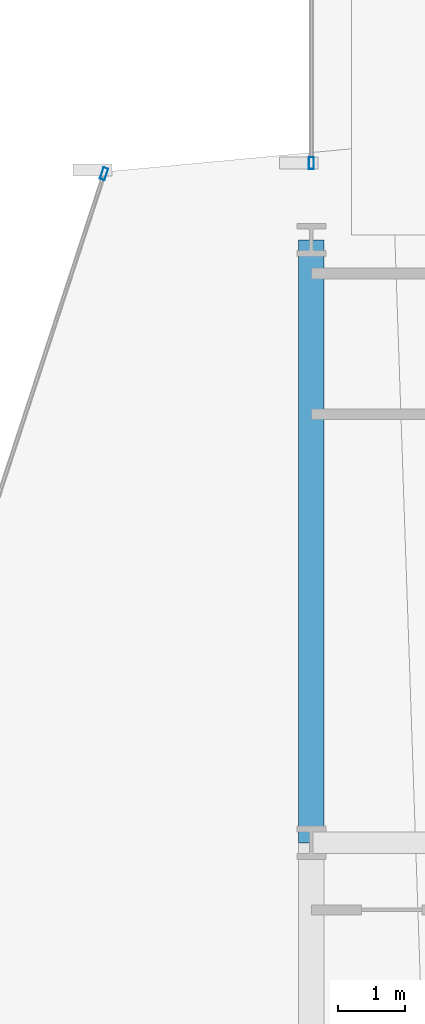
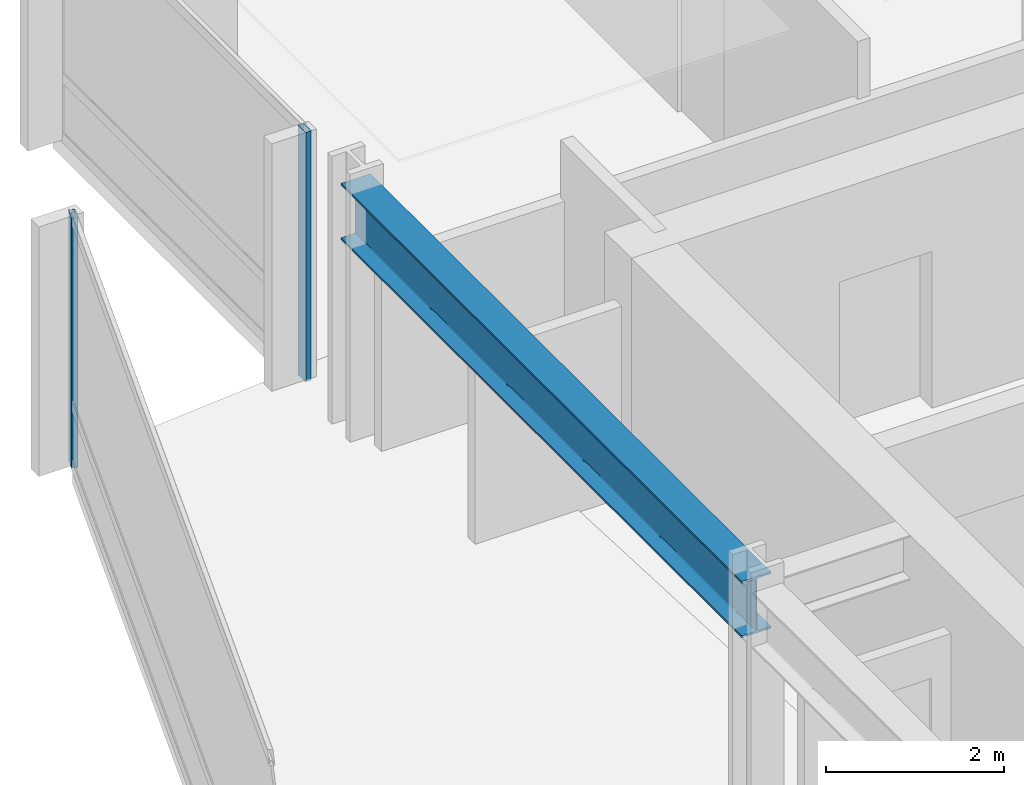
# One storey, part 19 of 34: 2 members, 1 beam, 2 elements without a shape of their own.
"""IFC4 building model written with IfcOpenShell, lengths in metres."""

from ifc_helpers import new_model, si_unit, direction, frame, origin, origin_2d, place, context, subcontext, project, spatial, hollow_rectangle, i_section, extrude, material, layer, layer_set, material_profile, profile_set, type_object, element, aggregate, save


model = new_model("IFC4")

# Units and contexts
model_context = context("Model", 3, precision=1e-05, world=origin(), true_north=direction((0.0, 1.0)))
body_context = subcontext(model_context, "Body", "Model", "MODEL_VIEW")
ifc_project = project(units=[si_unit("LENGTHUNIT", "METRE"), si_unit("AREAUNIT", "SQUARE_METRE"), si_unit("VOLUMEUNIT", "CUBIC_METRE"), si_unit("PLANEANGLEUNIT", "RADIAN"), si_unit("MASSUNIT", "GRAM", prefix="KILO")], contexts=[model_context])

# Site, building, storey
site_placement = place(None, origin())
site = spatial("IfcSite", under=ifc_project, at=site_placement, CompositionType="ELEMENT")
building_placement = place(site_placement, origin())
building = spatial("IfcBuilding", under=site, at=building_placement, Name="Solvaryn Broadcast Tower", CompositionType="ELEMENT")
storey_placement = place(building_placement, frame((0.0, 0.0, 43.39990234375)))
storey = spatial("IfcBuildingStorey", under=building, at=storey_placement, Name="L09", CompositionType="ELEMENT", Elevation=43.39990234375)

# Beam
ifc_material_1 = material(Name="Steel ASTM A992 Grade 50", Category="steel")
ifc_material_profile_1 = material_profile(ifc_material_1, i_section(OverallWidth=0.381103515625, OverallDepth=0.77294921875, WebThickness=0.0166015625, FlangeThickness=0.027099609375, FilletRadius=0.01806640625, at=origin_2d()))
ifc_profile_set_1 = profile_set([ifc_material_profile_1], Name="Steel ASTM A992 Grade 50")
beam_type = type_object("IfcBeamType", Name="BM-SP1-W30X173", PredefinedType="USERDEFINED", material=ifc_profile_set_1)
beam_placement = place(storey_placement, frame((9.0, 36.0, 3.03369140625), z_axis=(0.0, 1.0, 0.0), x_axis=(-1.0, 0.0, 0.0)))
element("IfcBeam", 1, at=beam_placement, inside=storey, type_object=beam_type, Name="L09 Spandrel Beam Y (36-45 @ X=9)", ObjectType="SPANDREL", PredefinedType="USERDEFINED", context=body_context, shape_type="SweptSolid", body=[
    extrude(i_section(OverallWidth=0.381103515625, OverallDepth=0.77294921875, WebThickness=0.0166015625, FlangeThickness=0.027099609375, FilletRadius=0.01806640625, at=origin_2d()), origin(), (0.0, 0.0, 1.0), 9.0),
])

# Curtain wall, member
ifc_material_2 = material(Name="Aluminium and Terracotta Unitised Curtain Wall", Category="masonry")
ifc_layer = layer(ifc_material_2, 0.199951171875)
ifc_layer_set = layer_set([ifc_layer], Name="CW-SYS2-LOWMID")
curtain_wall_type = type_object("IfcCurtainWallType", Name="CW-SYS2-LOWMID", PredefinedType="NOTDEFINED", material=ifc_layer_set)
curtain_wall_1_placement = place(storey_placement, origin())
curtain_wall_1 = element("IfcCurtainWall", 2, at=curtain_wall_1_placement, inside=storey, type_object=curtain_wall_type, Name="L09 Curtain Wall DR1", PredefinedType="NOTDEFINED")
ifc_material_3 = material(Name="Anodised Aluminium 6063-T6", Category="aluminium")
ifc_material_profile_2 = material_profile(ifc_material_3, hollow_rectangle(XDim=0.074951171875, YDim=0.179931640625, WallThickness=0.00390625, InnerFilletRadius=0.00390625, OuterFilletRadius=0.008056640625, at=origin_2d()))
ifc_profile_set_2 = profile_set([ifc_material_profile_2], Name="Anodised Aluminium 6063-T6")
member_type = type_object("IfcMemberType", Name="CW-MUL-180", PredefinedType="MULLION", material=ifc_profile_set_2)
member_1_placement = place(storey_placement, frame((5.90673828125, 45.987548828125, 0.0), z_axis=(0.0, 0.0, 1.0), x_axis=(0.950215318429, -0.311594044587, 0.0)))
member_1 = element("IfcMember", 3, at=member_1_placement, type_object=member_type, Name="CWS2 mullion 1", PredefinedType="MULLION", context=body_context, shape_type="SweptSolid", body=[
    extrude(hollow_rectangle(XDim=0.074951171875, YDim=0.179931640625, WallThickness=0.00390625, InnerFilletRadius=0.00390625, OuterFilletRadius=0.008056640625, at=origin_2d()), origin(), (0.0, 0.0, 1.0), 3.420166015625),
])
aggregate(curtain_wall_1, [member_1])

curtain_wall_2_placement = place(storey_placement, origin())
curtain_wall_2 = element("IfcCurtainWall", 4, at=curtain_wall_2_placement, inside=storey, type_object=curtain_wall_type, Name="L09 Curtain Wall W2", PredefinedType="NOTDEFINED")
member_2_placement = place(storey_placement, frame((9.0, 46.14599609375, 0.0), z_axis=(0.0, 0.0, 1.0), x_axis=(-1.0, 0.0, 0.0)))
member_2 = element("IfcMember", 5, at=member_2_placement, type_object=member_type, Name="CWS2 mullion 1", PredefinedType="MULLION", context=body_context, shape_type="SweptSolid", body=[
    extrude(hollow_rectangle(XDim=0.074951171875, YDim=0.179931640625, WallThickness=0.00390625, InnerFilletRadius=0.00390625, OuterFilletRadius=0.008056640625, at=origin_2d()), origin(), (0.0, 0.0, 1.0), 3.420166015625),
])
aggregate(curtain_wall_2, [member_2])

save(model, "model.ifc")
